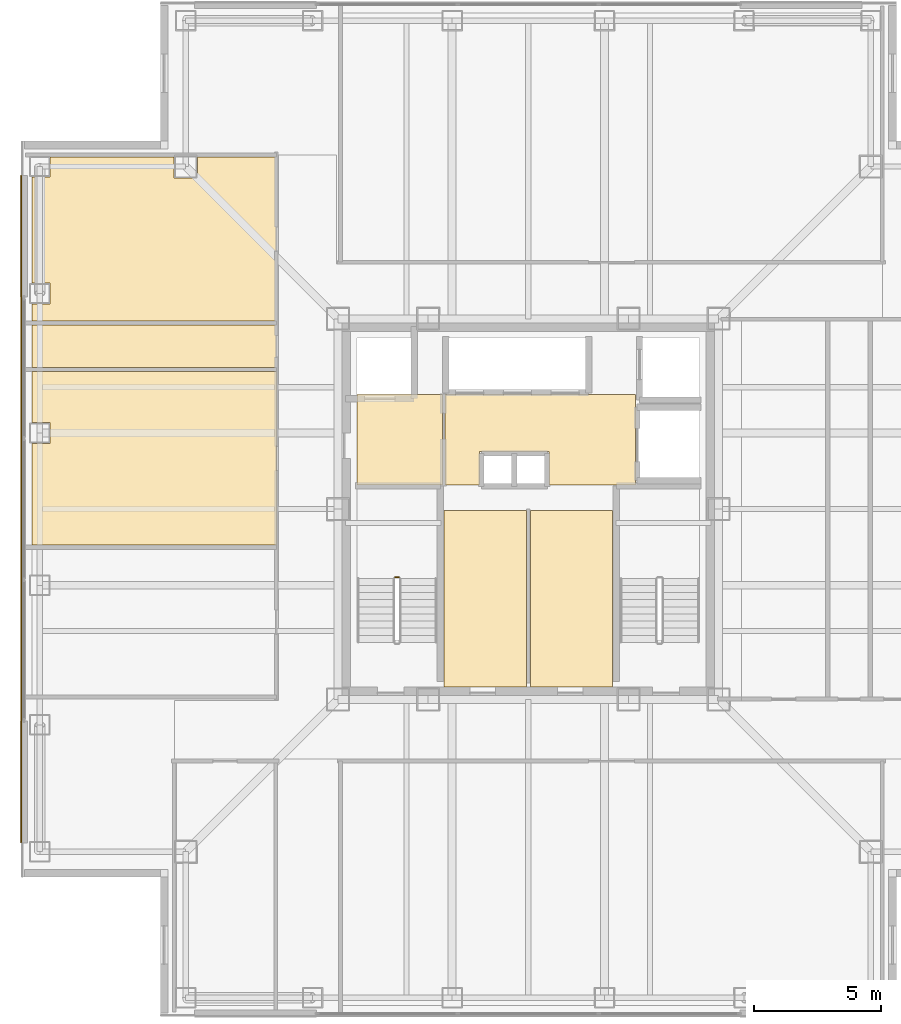
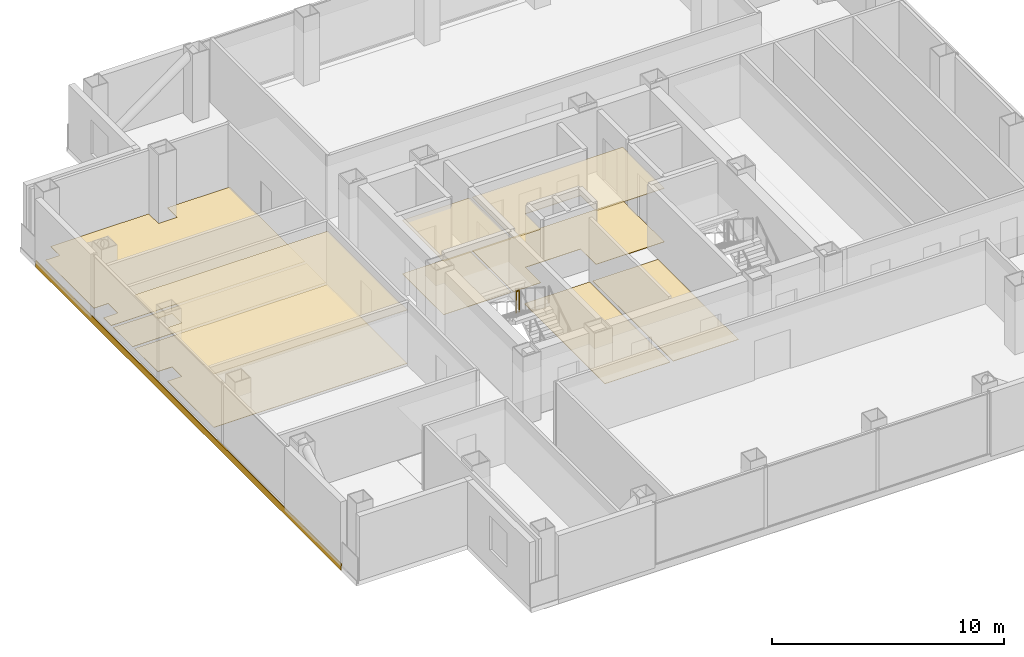
# One storey, part 13 of 16: 11 coverings, 1 railing.
"""IFC4 building model written with IfcOpenShell, lengths in metres."""

from ifc_helpers import new_model, si_unit, direction, frame, frame_2d, origin, origin_2d, place, context, subcontext, project, spatial, polyline, rectangle, circle, outline, extrude, material, layer, layer_set, type_object, element, save


model = new_model("IFC4")

# Units and contexts
model_context = context("Model", 3, precision=1e-05, world=origin(), true_north=direction((0.0, 1.0)))
body_context = subcontext(model_context, "Body", "Model", "MODEL_VIEW")
ifc_project = project(units=[si_unit("LENGTHUNIT", "METRE"), si_unit("AREAUNIT", "SQUARE_METRE"), si_unit("VOLUMEUNIT", "CUBIC_METRE"), si_unit("PLANEANGLEUNIT", "RADIAN"), si_unit("MASSUNIT", "GRAM", prefix="KILO")], contexts=[model_context])

# Site, building, storey
site_placement = place(None, origin())
site = spatial("IfcSite", under=ifc_project, at=site_placement, CompositionType="ELEMENT")
building_placement = place(site_placement, origin())
building = spatial("IfcBuilding", under=site, at=building_placement, Name="Trevonay Congress Spire", CompositionType="ELEMENT")
storey_placement = place(building_placement, frame((0.0, 0.0, 202.199951171875)))
storey = spatial("IfcBuildingStorey", under=building, at=storey_placement, Name="L52", CompositionType="ELEMENT", Elevation=202.199951171875)

# Coverings
ifc_material_1 = material(Name="Acoustic Mineral Fibre Board", Category="gypsum")
ifc_layer_1 = layer(ifc_material_1, 0.02490234375, Name="Acoustic Mineral Fibre Board")
ifc_layer_set_1 = layer_set([ifc_layer_1], Name="Acoustic Mineral Fibre Board")
covering_type_1 = type_object("IfcCoveringType", Name="COV-CEIL-ACOUSTIC", PredefinedType="CEILING", material=ifc_layer_set_1)
covering_1_placement = place(storey_placement, frame((0.0, 0.0, 2.81005859375)))
element("IfcCovering", 1, at=covering_1_placement, inside=storey, type_object=covering_type_1, Name="L52 Firefighting Lift Lobby West acoustic suspended ceiling", PredefinedType="CEILING", context=body_context, shape_type="SweptSolid", body=[
    extrude(outline(polyline([(-6.75, 0.9599609375), (-3.3798828125, 0.9599609375), (-3.3798828125, 4.52001953125), (-6.75, 4.52001953125), (-6.75, 0.9599609375)])), origin(), (0.0, 0.0, 1.0), 0.02490234375),
])
covering_2_placement = place(storey_placement, frame((0.0, 0.0, 2.81005859375)))
element("IfcCovering", 2, at=covering_2_placement, inside=storey, type_object=covering_type_1, Name="L52 Central and High-Rise Passenger Lift Lobby acoustic suspended ceiling", PredefinedType="CEILING", context=body_context, shape_type="SweptSolid", body=[
    extrude(outline(polyline([(-3.280029296875, 0.949951171875), (-1.919921875, 0.949951171875), (-1.919921875, 2.280029296875), (0.820068359375, 2.280029296875), (0.820068359375, 0.949951171875), (4.219970703125, 0.949951171875), (4.219970703125, 4.52001953125), (-3.280029296875, 4.52001953125), (-3.280029296875, 0.949951171875)])), origin(), (0.0, 0.0, 1.0), 0.02490234375),
])
covering_3_placement = place(storey_placement, frame((0.0, 0.0, 2.81005859375)))
element("IfcCovering", 3, at=covering_3_placement, inside=storey, type_object=covering_type_1, Name="L52 Spa Treatment Lounge acoustic suspended ceiling", PredefinedType="CEILING", context=body_context, shape_type="SweptSolid", body=[
    extrude(outline(polyline([(-19.550048828125, 5.419921875), (-9.929931640625, 5.419921875), (-9.929931640625, -1.419921875), (-19.550048828125, -1.419921875), (-19.550048828125, 2.590087890625), (-18.840087890625, 2.590087890625), (-18.840087890625, 3.409912109375), (-19.550048828125, 3.409912109375), (-19.550048828125, 5.419921875)])), origin(), (0.0, 0.0, 1.0), 0.02490234375),
])
ifc_material_2 = material(Name="Polished Granite Floor Tile", Category="masonry")
ifc_layer_2 = layer(ifc_material_2, 0.02001953125, Name="Polished Granite Floor Tile")
ifc_layer_set_2 = layer_set([ifc_layer_2], Name="Polished Granite Floor Tile")
covering_type_2 = type_object("IfcCoveringType", Name="COV-FLOOR-STONE", PredefinedType="FLOORING", material=ifc_layer_set_2)
covering_4_placement = place(storey_placement, origin())
element("IfcCovering", 4, at=covering_4_placement, inside=storey, type_object=covering_type_2, Name="L52 Firefighting Lift Lobby West floor finish", PredefinedType="FLOORING", context=body_context, shape_type="SweptSolid", body=[
    extrude(outline(polyline([(-6.75, 0.9599609375), (-3.3798828125, 0.9599609375), (-3.3798828125, 4.52001953125), (-6.75, 4.52001953125), (-6.75, 0.9599609375)])), origin(), (0.0, 0.0, 1.0), 0.02001953125),
])
covering_5_placement = place(storey_placement, origin())
element("IfcCovering", 5, at=covering_5_placement, inside=storey, type_object=covering_type_2, Name="L52 Central and High-Rise Passenger Lift Lobby floor finish", PredefinedType="FLOORING", context=body_context, shape_type="SweptSolid", body=[
    extrude(outline(polyline([(-3.280029296875, 0.949951171875), (-1.919921875, 0.949951171875), (-1.919921875, 2.280029296875), (0.820068359375, 2.280029296875), (0.820068359375, 0.949951171875), (4.219970703125, 0.949951171875), (4.219970703125, 4.52001953125), (-3.280029296875, 4.52001953125), (-3.280029296875, 0.949951171875)])), origin(), (0.0, 0.0, 1.0), 0.02001953125),
])
covering_6_placement = place(storey_placement, origin())
element("IfcCovering", 6, at=covering_6_placement, inside=storey, type_object=covering_type_2, Name="L52 Core Server and IT Hub floor finish", PredefinedType="FLOORING", context=body_context, shape_type="SweptSolid", body=[
    extrude(outline(polyline([(-3.320068359375, -7.0), (-0.080078125, -7.0), (-0.080078125, -0.050048828125), (-3.320068359375, -0.050048828125), (-3.320068359375, -7.0)])), origin(), (0.0, 0.0, 1.0), 0.02001953125),
])
covering_7_placement = place(storey_placement, origin())
element("IfcCovering", 7, at=covering_7_placement, inside=storey, type_object=covering_type_2, Name="L52 Core Document Archive Room floor finish", PredefinedType="FLOORING", context=body_context, shape_type="SweptSolid", body=[
    extrude(outline(polyline([(0.080078125, -7.0), (3.320068359375, -7.0), (3.320068359375, -0.050048828125), (0.080078125, -0.050048828125), (0.080078125, -7.0)])), origin(), (0.0, 0.0, 1.0), 0.02001953125),
])
covering_8_placement = place(storey_placement, origin())
element("IfcCovering", 8, at=covering_8_placement, inside=storey, type_object=covering_type_2, Name="L52 Accessible WC floor finish", PredefinedType="FLOORING", context=body_context, shape_type="SweptSolid", body=[
    extrude(outline(polyline([(-19.550048828125, 5.580078125), (-9.929931640625, 5.580078125), (-9.929931640625, 7.25), (-19.550048828125, 7.25), (-19.550048828125, 5.580078125)])), origin(), (0.0, 0.0, 1.0), 0.02001953125),
])
covering_9_placement = place(storey_placement, origin())
element("IfcCovering", 9, at=covering_9_placement, inside=storey, type_object=covering_type_2, Name="L52 Floor Supplies and Copy Room floor finish", PredefinedType="FLOORING", context=body_context, shape_type="SweptSolid", body=[
    extrude(outline(polyline([(-9.929931640625, 13.8701171875), (-9.929931640625, 7.409912109375), (-19.550048828125, 7.409912109375), (-19.550048828125, 8.090087890625), (-18.840087890625, 8.090087890625), (-18.840087890625, 8.909912109375), (-19.550048828125, 8.909912109375), (-19.550048828125, 13.090087890625), (-18.840087890625, 13.090087890625), (-18.840087890625, 13.8701171875), (-13.9599609375, 13.8701171875), (-13.9599609375, 13.0400390625), (-13.0400390625, 13.0400390625), (-13.0400390625, 13.8701171875), (-9.929931640625, 13.8701171875)])), origin(), (0.0, 0.0, 1.0), 0.02001953125),
])
ifc_material_3 = material(Name="Engineered Oak Flooring", Category="wood")
ifc_layer_3 = layer(ifc_material_3, 0.01806640625, Name="Engineered Oak Flooring")
ifc_layer_set_3 = layer_set([ifc_layer_3], Name="Engineered Oak Flooring")
covering_type_3 = type_object("IfcCoveringType", Name="COV-FLOOR-TIMBER", PredefinedType="FLOORING", material=ifc_layer_set_3)
covering_10_placement = place(storey_placement, origin())
element("IfcCovering", 10, at=covering_10_placement, inside=storey, type_object=covering_type_3, Name="L52 Spa Treatment Lounge floor finish", PredefinedType="FLOORING", context=body_context, shape_type="SweptSolid", body=[
    extrude(outline(polyline([(-19.550048828125, 5.419921875), (-9.929931640625, 5.419921875), (-9.929931640625, -1.419921875), (-19.550048828125, -1.419921875), (-19.550048828125, 2.590087890625), (-18.840087890625, 2.590087890625), (-18.840087890625, 3.409912109375), (-19.550048828125, 3.409912109375), (-19.550048828125, 5.419921875)])), origin(), (0.0, 0.0, 1.0), 0.01806640625),
])
ifc_material_4 = material(Name="Pale Anodised Aluminium EN AW-6063-T6", Category="aluminium")
ifc_layer_4 = layer(ifc_material_4, 0.0400390625, Name="Pale Anodised Aluminium EN AW-6063-T6")
ifc_layer_set_4 = layer_set([ifc_layer_4], Name="Pale Anodised Aluminium EN AW-6063-T6")
covering_type_4 = type_object("IfcCoveringType", Name="COV-SPANDREL-PALE-METAL", PredefinedType="CLADDING", material=ifc_layer_set_4)
covering_11_placement = place(storey_placement, frame((-19.97998046875, -13.14990234375, -0.239990234375), z_axis=(0.0, 0.0, 1.0), x_axis=(0.0, 1.0, 0.0)))
element("IfcCovering", 11, at=covering_11_placement, inside=storey, type_object=covering_type_4, Name="L52 W pale-metal slab-edge spandrel cladding", PredefinedType="CLADDING", context=body_context, shape_type="SweptSolid", body=[
    extrude(rectangle(XDim=26.2998046875, YDim=0.0400390625, at=frame_2d((13.14990234375, 0.0))), origin(), (0.0, 0.0, 1.0), 0.360107421875),
])

# Railing
railing_type = type_object("IfcRailingType", Name="RAL-STAIR-GUARD-110", PredefinedType="GUARDRAIL", material=ifc_material_4)
railing_placement = place(storey_placement, frame((-5.10009765625, -2.679931640625, 1.800048828125)))
element("IfcRailing", 12, at=railing_placement, inside=storey, type_object=railing_type, Name="L52 ST-1 stair guard 2", PredefinedType="GUARDRAIL", context=body_context, shape_type="SweptSolid", body=[
    extrude(circle(Radius=0.02392578125, at=origin_2d()), frame((0.0, 0.0, 1.1259765625), z_axis=(-1.0, 0.0, 0.0), x_axis=(0.0, -1.0, 0.0)), (0.0, 0.0, 1.0), 0.14990234375),
    extrude(circle(Radius=0.02099609375, at=origin_2d()), origin(), (0.0, 0.0, 1.0), 1.101806640625),
    extrude(circle(Radius=0.02099609375, at=origin_2d()), frame((-0.14990234375, 0.0, 0.0)), (0.0, 0.0, 1.0), 1.101806640625),
])

save(model, "model.ifc")
